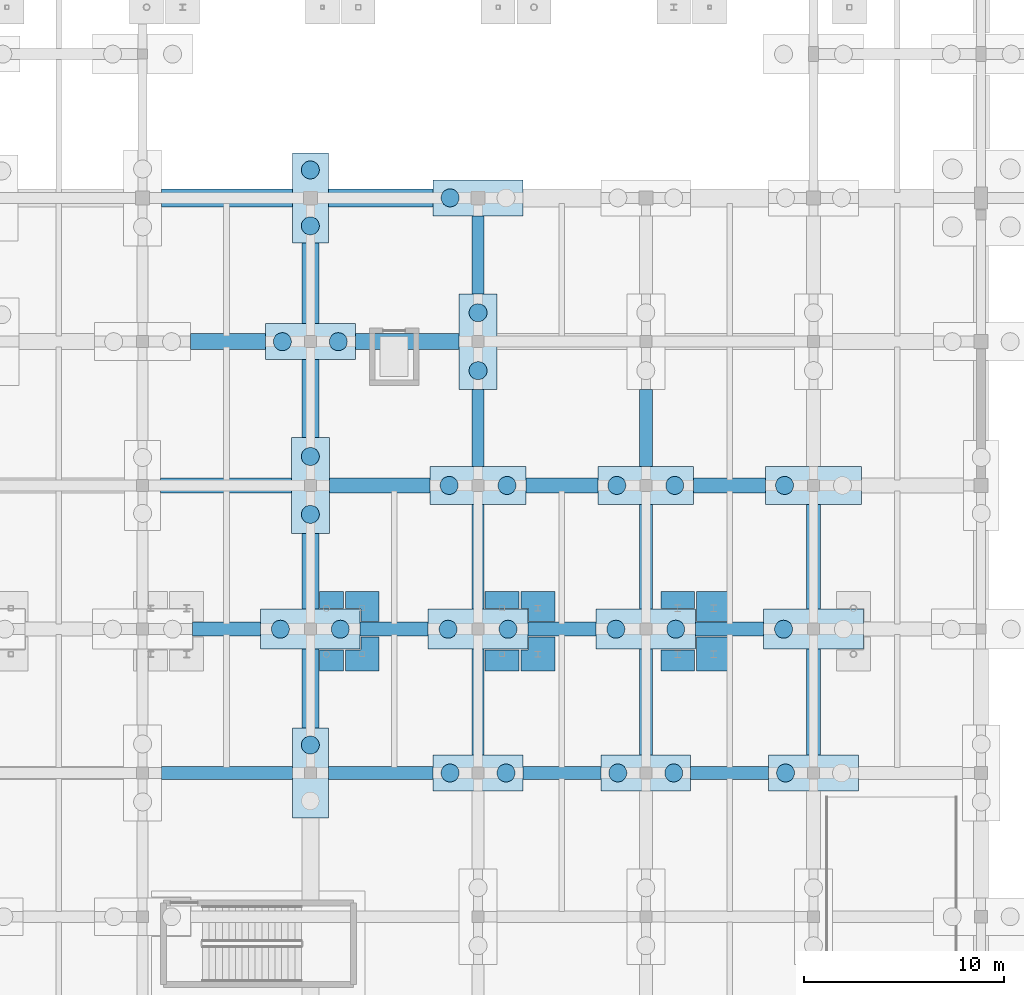
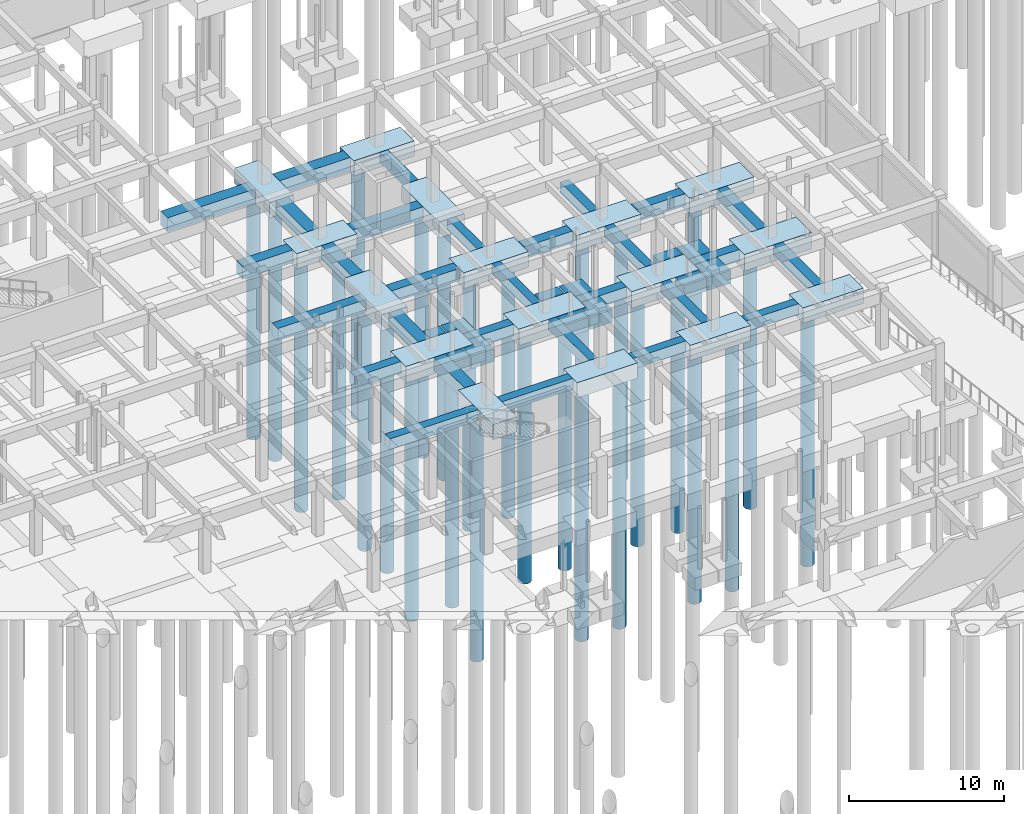
# One storey, part 10 of 80: 57 footings, 27 piles.
"""IFC4 building model written with IfcOpenShell, lengths in metres."""

from ifc_helpers import new_model, si_unit, direction, frame, origin, origin_2d, place, context, subcontext, project, spatial, polyline, rectangle, circle, outline, extrude, material, material_profile, profile_set, type_object, element, save


model = new_model("IFC4")

# Units and contexts
model_context = context("Model", 3, precision=1e-05, world=origin(), true_north=direction((0.0, 1.0)))
body_context = subcontext(model_context, "Body", "Model", "MODEL_VIEW")
ifc_project = project(units=[si_unit("LENGTHUNIT", "METRE"), si_unit("AREAUNIT", "SQUARE_METRE"), si_unit("VOLUMEUNIT", "CUBIC_METRE"), si_unit("PLANEANGLEUNIT", "RADIAN"), si_unit("MASSUNIT", "GRAM", prefix="KILO")], contexts=[model_context])

# Site, building, storey
site_placement = place(None, origin())
site = spatial("IfcSite", under=ifc_project, at=site_placement, CompositionType="ELEMENT")
building_placement = place(site_placement, origin())
building = spatial("IfcBuilding", under=site, at=building_placement, Name="Malvenik Polytechnic", CompositionType="ELEMENT")
storey_placement = place(building_placement, frame((0.0, 0.0, -4.800048828125)))
storey = spatial("IfcBuildingStorey", under=building, at=storey_placement, Name="B1", CompositionType="ELEMENT", Elevation=-4.800048828125)

# Footings
ifc_material = material(Name="Concrete C35/45", Category="concrete")
footing_type_1 = type_object("IfcFootingType", Name="STR-PC-1800x4500x1200", PredefinedType="PILE_CAP", material=ifc_material)
for number, where, z_axis, x_axis, name in (
    (1, (100.800048828125, 86.39990234375, -1.19970703125), (0.0, 0.0, 1.0), (1.0, 0.0, 0.0), "Pile Cap PC-01 #160"),
    (2, (109.199951171875, 64.800048828125, -1.19970703125), (0.0, 0.0, 1.0), (1.0, 0.0, 0.0), "Pile Cap PC-01 #168"),
    (3, (109.199951171875, 93.60009765625, -1.19970703125), (0.0, 0.0, 1.0), (1.0, 0.0, 0.0), "Pile Cap PC-01 #172"),
    (4, (117.60009765625, 64.800048828125, -1.19970703125), (0.0, 0.0, 1.0), (1.0, 0.0, 0.0), "Pile Cap PC-01 #184"),
    (5, (126.0, 64.800048828125, -1.19970703125), (0.0, 0.0, 1.0), (1.0, 0.0, 0.0), "Pile Cap PC-01 #200"),
):
    element("IfcFooting", number, at=place(storey_placement, frame(where, z_axis=z_axis, x_axis=x_axis)), inside=storey, type_object=footing_type_1, Name=name, PredefinedType="PILE_CAP", context=body_context, shape_type="SweptSolid", body=[
        extrude(rectangle(XDim=4.5, YDim=1.800048828125, at=origin_2d()), origin(), (0.0, 0.0, 1.0), 1.199951171875),
    ])
footing_type_2 = type_object("IfcFootingType", Name="STR-PC-1900x4800x1250", PredefinedType="PILE_CAP", material=ifc_material)
for number, where, z_axis, x_axis, name in (
    (6, (109.199951171875, 79.199951171875, -1.25), (0.0, 0.0, 1.0), (1.0, 0.0, 0.0), "Pile Cap PC-13 #170"),
    (7, (117.60009765625, 79.199951171875, -1.25), (0.0, 0.0, 1.0), (1.0, 0.0, 0.0), "Pile Cap PC-13 #186"),
    (8, (126.0, 79.199951171875, -1.25), (0.0, 0.0, 1.0), (1.0, 0.0, 0.0), "Pile Cap PC-13 #202"),
):
    element("IfcFooting", number, at=place(storey_placement, frame(where, z_axis=z_axis, x_axis=x_axis)), inside=storey, type_object=footing_type_2, Name=name, PredefinedType="PILE_CAP", context=body_context, shape_type="SweptSolid", body=[
        extrude(rectangle(XDim=4.800048828125, YDim=1.89990234375, at=origin_2d()), origin(), (0.0, 0.0, 1.0), 1.25),
    ])
footing_type_3 = type_object("IfcFootingType", Name="STR-PC-2000x5000x1300", PredefinedType="PILE_CAP", material=ifc_material)
for number, where, z_axis, x_axis, name in (
    (9, (100.800048828125, 72.0, -1.2998046875), (0.0, 0.0, 1.0), (1.0, 0.0, 0.0), "Pile Cap PC-03 #158"),
    (10, (109.199951171875, 72.0, -1.2998046875), (0.0, 0.0, 1.0), (1.0, 0.0, 0.0), "Pile Cap PC-03 #169"),
    (11, (117.60009765625, 72.0, -1.2998046875), (0.0, 0.0, 1.0), (1.0, 0.0, 0.0), "Pile Cap PC-03 #185"),
    (12, (126.0, 72.0, -1.2998046875), (0.0, 0.0, 1.0), (1.0, 0.0, 0.0), "Pile Cap PC-03 #201"),
):
    element("IfcFooting", number, at=place(storey_placement, frame(where, z_axis=z_axis, x_axis=x_axis)), inside=storey, type_object=footing_type_3, Name=name, PredefinedType="PILE_CAP", context=body_context, shape_type="SweptSolid", body=[
        extrude(rectangle(XDim=5.0, YDim=2.0, at=origin_2d()), origin(), (0.0, 0.0, 1.0), 1.300048828125),
    ])
footing_type_4 = type_object("IfcFootingType", Name="STR-PC-4500x1800x1200", PredefinedType="PILE_CAP", material=ifc_material)
for number, where, z_axis, x_axis, name in (
    (13, (100.800048828125, 64.800048828125, -1.19970703125), (0.0, 0.0, 1.0), (1.0, 0.0, 0.0), "Pile Cap PC-02 #157"),
    (14, (100.800048828125, 93.60009765625, -1.19970703125), (0.0, 0.0, 1.0), (1.0, 0.0, 0.0), "Pile Cap PC-02 #161"),
):
    element("IfcFooting", number, at=place(storey_placement, frame(where, z_axis=z_axis, x_axis=x_axis)), inside=storey, type_object=footing_type_4, Name=name, PredefinedType="PILE_CAP", context=body_context, shape_type="SweptSolid", body=[
        extrude(rectangle(XDim=1.800048828125, YDim=4.5, at=origin_2d()), origin(), (0.0, 0.0, 1.0), 1.199951171875),
    ])
footing_type_5 = type_object("IfcFootingType", Name="STR-PC-4800x1900x1250", PredefinedType="PILE_CAP", material=ifc_material)
for number, where, z_axis, x_axis, name in (
    (15, (100.800048828125, 79.199951171875, -1.25), (0.0, 0.0, 1.0), (1.0, 0.0, 0.0), "Pile Cap PC-14 #159"),
    (16, (109.199951171875, 86.39990234375, -1.25), (0.0, 0.0, 1.0), (1.0, 0.0, 0.0), "Pile Cap PC-14 #171"),
):
    element("IfcFooting", number, at=place(storey_placement, frame(where, z_axis=z_axis, x_axis=x_axis)), inside=storey, type_object=footing_type_5, Name=name, PredefinedType="PILE_CAP", context=body_context, shape_type="SweptSolid", body=[
        extrude(rectangle(XDim=1.89990234375, YDim=4.800048828125, at=origin_2d()), origin(), (0.0, 0.0, 1.0), 1.25),
    ])

# Piles
ifc_material_profile_1 = material_profile(ifc_material, circle(Radius=0.449951171875, at=origin_2d()), Name="BORED PILE D900")
ifc_profile_set_1 = profile_set([ifc_material_profile_1], Name="Concrete C35/45")
pile_type_1 = type_object("IfcPileType", Name="STR-PL-D900-195", PredefinedType="BORED", material=ifc_profile_set_1)
for number, where, z_axis, x_axis, name in (
    (17, (99.300048828125, 72.0, -1.199951171875), (0.0, 0.0, -1.0), (1.0, 0.0, 0.0), "Bored Pile PL-01 #355"),
    (18, (102.300048828125, 72.0, -1.199951171875), (0.0, 0.0, -1.0), (1.0, 0.0, 0.0), "Bored Pile PL-01 #356"),
    (19, (107.699951171875, 72.0, -1.199951171875), (0.0, 0.0, -1.0), (1.0, 0.0, 0.0), "Bored Pile PL-01 #377"),
    (20, (110.699951171875, 72.0, -1.199951171875), (0.0, 0.0, -1.0), (1.0, 0.0, 0.0), "Bored Pile PL-01 #378"),
    (21, (116.10009765625, 72.0, -1.199951171875), (0.0, 0.0, -1.0), (1.0, 0.0, 0.0), "Bored Pile PL-01 #409"),
    (22, (119.10009765625, 72.0, -1.199951171875), (0.0, 0.0, -1.0), (1.0, 0.0, 0.0), "Bored Pile PL-01 #410"),
    (23, (124.5, 72.0, -1.199951171875), (0.0, 0.0, -1.0), (1.0, 0.0, 0.0), "Bored Pile PL-01 #441"),
):
    element("IfcPile", number, at=place(storey_placement, frame(where, z_axis=z_axis, x_axis=x_axis)), inside=storey, type_object=pile_type_1, Name=name, PredefinedType="BORED", context=body_context, shape_type="SweptSolid", body=[
        extrude(circle(Radius=0.449951171875, at=origin_2d()), origin(), (0.0, 0.0, 1.0), 19.5),
    ])
ifc_material_profile_2 = material_profile(ifc_material, circle(Radius=0.449951171875, at=origin_2d()), Name="BORED PILE D900")
ifc_profile_set_2 = profile_set([ifc_material_profile_2], Name="Concrete C35/45")
pile_type_2 = type_object("IfcPileType", Name="STR-PL-D900-198", PredefinedType="BORED", material=ifc_profile_set_2)
for number, where, z_axis, x_axis, name in (
    (24, (100.800048828125, 66.199951171875, -1.099853515625), (0.0, 0.0, -1.0), (1.0, 0.0, 0.0), "Bored Pile PL-02 #354"),
    (25, (100.800048828125, 77.75, -1.14990234375), (0.0, 0.0, -1.0), (1.0, 0.0, 0.0), "Bored Pile PL-02 #357"),
    (26, (100.800048828125, 80.64990234375, -1.14990234375), (0.0, 0.0, -1.0), (1.0, 0.0, 0.0), "Bored Pile PL-02 #358"),
    (27, (99.39990234375, 86.39990234375, -1.099853515625), (0.0, 0.0, -1.0), (1.0, 0.0, 0.0), "Bored Pile PL-02 #359"),
    (28, (102.199951171875, 86.39990234375, -1.099853515625), (0.0, 0.0, -1.0), (1.0, 0.0, 0.0), "Bored Pile PL-02 #360"),
    (29, (100.800048828125, 92.199951171875, -1.099853515625), (0.0, 0.0, -1.0), (1.0, 0.0, 0.0), "Bored Pile PL-02 #361"),
    (30, (100.800048828125, 95.0, -1.099853515625), (0.0, 0.0, -1.0), (1.0, 0.0, 0.0), "Bored Pile PL-02 #362"),
    (31, (107.800048828125, 64.800048828125, -1.099853515625), (0.0, 0.0, -1.0), (1.0, 0.0, 0.0), "Bored Pile PL-02 #375"),
    (32, (110.60009765625, 64.800048828125, -1.099853515625), (0.0, 0.0, -1.0), (1.0, 0.0, 0.0), "Bored Pile PL-02 #376"),
    (33, (107.75, 79.199951171875, -1.14990234375), (0.0, 0.0, -1.0), (1.0, 0.0, 0.0), "Bored Pile PL-02 #379"),
    (34, (110.64990234375, 79.199951171875, -1.14990234375), (0.0, 0.0, -1.0), (1.0, 0.0, 0.0), "Bored Pile PL-02 #380"),
    (35, (109.199951171875, 84.949951171875, -1.14990234375), (0.0, 0.0, -1.0), (1.0, 0.0, 0.0), "Bored Pile PL-02 #381"),
    (36, (109.199951171875, 87.85009765625, -1.14990234375), (0.0, 0.0, -1.0), (1.0, 0.0, 0.0), "Bored Pile PL-02 #382"),
    (37, (107.800048828125, 93.60009765625, -1.099853515625), (0.0, 0.0, -1.0), (1.0, 0.0, 0.0), "Bored Pile PL-02 #383"),
    (38, (116.199951171875, 64.800048828125, -1.099853515625), (0.0, 0.0, -1.0), (1.0, 0.0, 0.0), "Bored Pile PL-02 #407"),
    (39, (119.0, 64.800048828125, -1.099853515625), (0.0, 0.0, -1.0), (1.0, 0.0, 0.0), "Bored Pile PL-02 #408"),
    (40, (116.14990234375, 79.199951171875, -1.14990234375), (0.0, 0.0, -1.0), (1.0, 0.0, 0.0), "Bored Pile PL-02 #411"),
    (41, (119.050048828125, 79.199951171875, -1.14990234375), (0.0, 0.0, -1.0), (1.0, 0.0, 0.0), "Bored Pile PL-02 #412"),
    (42, (124.60009765625, 64.800048828125, -1.099853515625), (0.0, 0.0, -1.0), (1.0, 0.0, 0.0), "Bored Pile PL-02 #439"),
    (43, (124.550048828125, 79.199951171875, -1.14990234375), (0.0, 0.0, -1.0), (1.0, 0.0, 0.0), "Bored Pile PL-02 #443"),
):
    element("IfcPile", number, at=place(storey_placement, frame(where, z_axis=z_axis, x_axis=x_axis)), inside=storey, type_object=pile_type_2, Name=name, PredefinedType="BORED", context=body_context, shape_type="SweptSolid", body=[
        extrude(circle(Radius=0.449951171875, at=origin_2d()), origin(), (0.0, 0.0, 1.0), 19.800048828125),
    ])

# Footings
footing_type_6 = type_object("IfcFootingType", Name="STR-SF-600x800", PredefinedType="STRIP_FOOTING", material=ifc_material)
footing_1_placement = place(storey_placement, frame((0.0, 0.0, -0.800048828125)))
element("IfcFooting", 44, at=footing_1_placement, inside=storey, type_object=footing_type_6, Name="Ground Tie Beam SF-01 #276", PredefinedType="STRIP_FOOTING", context=body_context, shape_type="SweptSolid", body=[
    extrude(outline(polyline([(108.89990234375, 65.699951171875), (109.5, 65.699951171875), (109.5, 71.0), (108.89990234375, 71.0), (108.89990234375, 65.699951171875)])), origin(), (0.0, 0.0, 1.0), 0.800048828125),
])
footing_2_placement = place(storey_placement, frame((0.0, 0.0, -0.800048828125)))
element("IfcFooting", 45, at=footing_2_placement, inside=storey, type_object=footing_type_6, Name="Ground Tie Beam SF-01 #277", PredefinedType="STRIP_FOOTING", context=body_context, shape_type="SweptSolid", body=[
    extrude(outline(polyline([(108.89990234375, 73.0), (109.5, 73.0), (109.5, 78.25), (108.89990234375, 78.25), (108.89990234375, 73.0)])), origin(), (0.0, 0.0, 1.0), 0.800048828125),
])
footing_3_placement = place(storey_placement, frame((0.0, 0.0, -0.800048828125)))
element("IfcFooting", 46, at=footing_3_placement, inside=storey, type_object=footing_type_6, Name="Ground Tie Beam SF-01 #278", PredefinedType="STRIP_FOOTING", context=body_context, shape_type="SweptSolid", body=[
    extrude(outline(polyline([(108.89990234375, 80.14990234375), (109.5, 80.14990234375), (109.5, 84.0), (108.89990234375, 84.0), (108.89990234375, 80.14990234375)])), origin(), (0.0, 0.0, 1.0), 0.800048828125),
])
footing_4_placement = place(storey_placement, frame((0.0, 0.0, -0.800048828125)))
element("IfcFooting", 47, at=footing_4_placement, inside=storey, type_object=footing_type_6, Name="Ground Tie Beam SF-01 #279", PredefinedType="STRIP_FOOTING", context=body_context, shape_type="SweptSolid", body=[
    extrude(outline(polyline([(108.89990234375, 88.800048828125), (109.5, 88.800048828125), (109.5, 92.699951171875), (108.89990234375, 92.699951171875), (108.89990234375, 88.800048828125)])), origin(), (0.0, 0.0, 1.0), 0.800048828125),
])
footing_type_7 = type_object("IfcFootingType", Name="STR-SF-650x850", PredefinedType="STRIP_FOOTING", material=ifc_material)
footing_5_placement = place(storey_placement, frame((0.0, 0.0, -0.849853515625)))
element("IfcFooting", 48, at=footing_5_placement, inside=storey, type_object=footing_type_7, Name="Ground Tie Beam SF-02 #77", PredefinedType="STRIP_FOOTING", context=body_context, shape_type="SweptSolid", body=[
    extrude(outline(polyline([(93.35009765625, 64.47509765625), (99.89990234375, 64.47509765625), (99.89990234375, 65.125), (93.35009765625, 65.125), (93.35009765625, 64.47509765625)])), origin(), (0.0, 0.0, 1.0), 0.849853515625),
])
footing_6_placement = place(storey_placement, frame((0.0, 0.0, -0.849853515625)))
element("IfcFooting", 49, at=footing_6_placement, inside=storey, type_object=footing_type_7, Name="Ground Tie Beam SF-02 #78", PredefinedType="STRIP_FOOTING", context=body_context, shape_type="SweptSolid", body=[
    extrude(outline(polyline([(101.699951171875, 64.47509765625), (106.949951171875, 64.47509765625), (106.949951171875, 65.125), (101.699951171875, 65.125), (101.699951171875, 64.47509765625)])), origin(), (0.0, 0.0, 1.0), 0.849853515625),
])
footing_7_placement = place(storey_placement, frame((0.0, 0.0, -0.849853515625)))
element("IfcFooting", 50, at=footing_7_placement, inside=storey, type_object=footing_type_7, Name="Ground Tie Beam SF-02 #79", PredefinedType="STRIP_FOOTING", context=body_context, shape_type="SweptSolid", body=[
    extrude(outline(polyline([(111.449951171875, 64.47509765625), (115.35009765625, 64.47509765625), (115.35009765625, 65.125), (111.449951171875, 65.125), (111.449951171875, 64.47509765625)])), origin(), (0.0, 0.0, 1.0), 0.849853515625),
])
footing_8_placement = place(storey_placement, frame((0.0, 0.0, -0.849853515625)))
element("IfcFooting", 51, at=footing_8_placement, inside=storey, type_object=footing_type_7, Name="Ground Tie Beam SF-02 #80", PredefinedType="STRIP_FOOTING", context=body_context, shape_type="SweptSolid", body=[
    extrude(outline(polyline([(119.85009765625, 64.47509765625), (123.75, 64.47509765625), (123.75, 65.125), (119.85009765625, 65.125), (119.85009765625, 64.47509765625)])), origin(), (0.0, 0.0, 1.0), 0.849853515625),
])
footing_9_placement = place(storey_placement, frame((0.0, 0.0, -0.849853515625)))
element("IfcFooting", 52, at=footing_9_placement, inside=storey, type_object=footing_type_7, Name="Ground Tie Beam SF-02 #286", PredefinedType="STRIP_FOOTING", context=body_context, shape_type="SweptSolid", body=[
    extrude(outline(polyline([(117.27490234375, 65.699951171875), (117.925048828125, 65.699951171875), (117.925048828125, 71.0), (117.27490234375, 71.0), (117.27490234375, 65.699951171875)])), origin(), (0.0, 0.0, 1.0), 0.849853515625),
])
footing_10_placement = place(storey_placement, frame((0.0, 0.0, -0.849853515625)))
element("IfcFooting", 53, at=footing_10_placement, inside=storey, type_object=footing_type_7, Name="Ground Tie Beam SF-02 #287", PredefinedType="STRIP_FOOTING", context=body_context, shape_type="SweptSolid", body=[
    extrude(outline(polyline([(117.27490234375, 73.0), (117.925048828125, 73.0), (117.925048828125, 78.25), (117.27490234375, 78.25), (117.27490234375, 73.0)])), origin(), (0.0, 0.0, 1.0), 0.849853515625),
])
footing_11_placement = place(storey_placement, frame((0.0, 0.0, -0.849853515625)))
element("IfcFooting", 54, at=footing_11_placement, inside=storey, type_object=footing_type_7, Name="Ground Tie Beam SF-02 #288", PredefinedType="STRIP_FOOTING", context=body_context, shape_type="SweptSolid", body=[
    extrude(outline(polyline([(117.27490234375, 80.14990234375), (117.925048828125, 80.14990234375), (117.925048828125, 84.0), (117.27490234375, 84.0), (117.27490234375, 80.14990234375)])), origin(), (0.0, 0.0, 1.0), 0.849853515625),
])
footing_type_8 = type_object("IfcFootingType", Name="STR-SF-700x900", PredefinedType="STRIP_FOOTING", material=ifc_material)
footing_12_placement = place(storey_placement, frame((0.0, 0.0, -0.89990234375)))
element("IfcFooting", 55, at=footing_12_placement, inside=storey, type_object=footing_type_8, Name="Ground Tie Beam SF-03 #89", PredefinedType="STRIP_FOOTING", context=body_context, shape_type="SweptSolid", body=[
    extrude(outline(polyline([(94.89990234375, 71.64990234375), (98.300048828125, 71.64990234375), (98.300048828125, 72.35009765625), (94.89990234375, 72.35009765625), (94.89990234375, 71.64990234375)])), origin(), (0.0, 0.0, 1.0), 0.89990234375),
])
footing_13_placement = place(storey_placement, frame((0.0, 0.0, -0.89990234375)))
element("IfcFooting", 56, at=footing_13_placement, inside=storey, type_object=footing_type_8, Name="Ground Tie Beam SF-03 #90", PredefinedType="STRIP_FOOTING", context=body_context, shape_type="SweptSolid", body=[
    extrude(outline(polyline([(103.300048828125, 71.64990234375), (106.699951171875, 71.64990234375), (106.699951171875, 72.35009765625), (103.300048828125, 72.35009765625), (103.300048828125, 71.64990234375)])), origin(), (0.0, 0.0, 1.0), 0.89990234375),
])
footing_14_placement = place(storey_placement, frame((0.0, 0.0, -0.89990234375)))
element("IfcFooting", 57, at=footing_14_placement, inside=storey, type_object=footing_type_8, Name="Ground Tie Beam SF-03 #91", PredefinedType="STRIP_FOOTING", context=body_context, shape_type="SweptSolid", body=[
    extrude(outline(polyline([(111.699951171875, 71.64990234375), (115.10009765625, 71.64990234375), (115.10009765625, 72.35009765625), (111.699951171875, 72.35009765625), (111.699951171875, 71.64990234375)])), origin(), (0.0, 0.0, 1.0), 0.89990234375),
])
footing_15_placement = place(storey_placement, frame((0.0, 0.0, -0.89990234375)))
element("IfcFooting", 58, at=footing_15_placement, inside=storey, type_object=footing_type_8, Name="Ground Tie Beam SF-03 #92", PredefinedType="STRIP_FOOTING", context=body_context, shape_type="SweptSolid", body=[
    extrude(outline(polyline([(120.10009765625, 71.64990234375), (123.5, 71.64990234375), (123.5, 72.35009765625), (120.10009765625, 72.35009765625), (120.10009765625, 71.64990234375)])), origin(), (0.0, 0.0, 1.0), 0.89990234375),
])
footing_16_placement = place(storey_placement, frame((0.0, 0.0, -0.89990234375)))
element("IfcFooting", 59, at=footing_16_placement, inside=storey, type_object=footing_type_8, Name="Ground Tie Beam SF-03 #296", PredefinedType="STRIP_FOOTING", context=body_context, shape_type="SweptSolid", body=[
    extrude(outline(polyline([(125.64990234375, 65.699951171875), (126.35009765625, 65.699951171875), (126.35009765625, 71.0), (125.64990234375, 71.0), (125.64990234375, 65.699951171875)])), origin(), (0.0, 0.0, 1.0), 0.89990234375),
])
footing_17_placement = place(storey_placement, frame((0.0, 0.0, -0.89990234375)))
element("IfcFooting", 60, at=footing_17_placement, inside=storey, type_object=footing_type_8, Name="Ground Tie Beam SF-03 #297", PredefinedType="STRIP_FOOTING", context=body_context, shape_type="SweptSolid", body=[
    extrude(outline(polyline([(125.64990234375, 73.0), (126.35009765625, 73.0), (126.35009765625, 78.25), (125.64990234375, 78.25), (125.64990234375, 73.0)])), origin(), (0.0, 0.0, 1.0), 0.89990234375),
])
footing_type_9 = type_object("IfcFootingType", Name="STR-SF-750x950", PredefinedType="STRIP_FOOTING", material=ifc_material)
footing_18_placement = place(storey_placement, frame((0.0, 0.0, -0.949951171875)))
element("IfcFooting", 61, at=footing_18_placement, inside=storey, type_object=footing_type_9, Name="Ground Tie Beam SF-04 #101", PredefinedType="STRIP_FOOTING", context=body_context, shape_type="SweptSolid", body=[
    extrude(outline(polyline([(93.300048828125, 78.824951171875), (99.85009765625, 78.824951171875), (99.85009765625, 79.574951171875), (93.300048828125, 79.574951171875), (93.300048828125, 78.824951171875)])), origin(), (0.0, 0.0, 1.0), 0.949951171875),
])
footing_19_placement = place(storey_placement, frame((0.0, 0.0, -0.949951171875)))
element("IfcFooting", 62, at=footing_19_placement, inside=storey, type_object=footing_type_9, Name="Ground Tie Beam SF-04 #102", PredefinedType="STRIP_FOOTING", context=body_context, shape_type="SweptSolid", body=[
    extrude(outline(polyline([(101.75, 78.824951171875), (106.800048828125, 78.824951171875), (106.800048828125, 79.574951171875), (101.75, 79.574951171875), (101.75, 78.824951171875)])), origin(), (0.0, 0.0, 1.0), 0.949951171875),
])
footing_20_placement = place(storey_placement, frame((0.0, 0.0, -0.949951171875)))
element("IfcFooting", 63, at=footing_20_placement, inside=storey, type_object=footing_type_9, Name="Ground Tie Beam SF-04 #103", PredefinedType="STRIP_FOOTING", context=body_context, shape_type="SweptSolid", body=[
    extrude(outline(polyline([(111.60009765625, 78.824951171875), (115.199951171875, 78.824951171875), (115.199951171875, 79.574951171875), (111.60009765625, 79.574951171875), (111.60009765625, 78.824951171875)])), origin(), (0.0, 0.0, 1.0), 0.949951171875),
])
footing_21_placement = place(storey_placement, frame((0.0, 0.0, -0.949951171875)))
element("IfcFooting", 64, at=footing_21_placement, inside=storey, type_object=footing_type_9, Name="Ground Tie Beam SF-04 #104", PredefinedType="STRIP_FOOTING", context=body_context, shape_type="SweptSolid", body=[
    extrude(outline(polyline([(120.0, 78.824951171875), (123.60009765625, 78.824951171875), (123.60009765625, 79.574951171875), (120.0, 79.574951171875), (120.0, 78.824951171875)])), origin(), (0.0, 0.0, 1.0), 0.949951171875),
])
footing_type_10 = type_object("IfcFootingType", Name="STR-SF-800x1000", PredefinedType="STRIP_FOOTING", material=ifc_material)
footing_22_placement = place(storey_placement, frame((0.0, 0.0, -1.0)))
element("IfcFooting", 65, at=footing_22_placement, inside=storey, type_object=footing_type_10, Name="Ground Tie Beam SF-05 #112", PredefinedType="STRIP_FOOTING", context=body_context, shape_type="SweptSolid", body=[
    extrude(outline(polyline([(94.800048828125, 86.0), (98.550048828125, 86.0), (98.550048828125, 86.800048828125), (94.800048828125, 86.800048828125), (94.800048828125, 86.0)])), origin(), (0.0, 0.0, 1.0), 1.0),
])
footing_23_placement = place(storey_placement, frame((0.0, 0.0, -1.0)))
element("IfcFooting", 66, at=footing_23_placement, inside=storey, type_object=footing_type_10, Name="Ground Tie Beam SF-05 #113", PredefinedType="STRIP_FOOTING", context=body_context, shape_type="SweptSolid", body=[
    extrude(outline(polyline([(103.050048828125, 86.0), (108.25, 86.0), (108.25, 86.800048828125), (103.050048828125, 86.800048828125), (103.050048828125, 86.0)])), origin(), (0.0, 0.0, 1.0), 1.0),
])
footing_24_placement = place(storey_placement, frame((0.0, 0.0, -1.0)))
element("IfcFooting", 67, at=footing_24_placement, inside=storey, type_object=footing_type_10, Name="Bridge-Ramp Pier Footing #51.1", PredefinedType="STRIP_FOOTING", context=body_context, shape_type="SweptSolid", body=[
    extrude(outline(polyline([(120.14990234375, 69.89990234375), (120.14990234375, 71.60009765625), (121.85009765625, 71.60009765625), (121.85009765625, 69.89990234375), (120.14990234375, 69.89990234375)])), origin(), (0.0, 0.0, 1.0), 1.0),
])
footing_25_placement = place(storey_placement, frame((0.0, 0.0, -1.0)))
element("IfcFooting", 68, at=footing_25_placement, inside=storey, type_object=footing_type_10, Name="Bridge-Ramp Pier Footing #52.1", PredefinedType="STRIP_FOOTING", context=body_context, shape_type="SweptSolid", body=[
    extrude(outline(polyline([(120.14990234375, 73.89990234375), (121.85009765625, 73.89990234375), (121.85009765625, 72.3798828125), (120.14990234375, 72.3798828125), (120.14990234375, 73.89990234375)])), origin(), (0.0, 0.0, 1.0), 1.0),
])
footing_26_placement = place(storey_placement, frame((0.0, 0.0, -1.0)))
element("IfcFooting", 69, at=footing_26_placement, inside=storey, type_object=footing_type_10, Name="Bridge-Ramp Pier Footing #53.1", PredefinedType="STRIP_FOOTING", context=body_context, shape_type="SweptSolid", body=[
    extrude(outline(polyline([(120.050048828125, 69.89990234375), (118.35009765625, 69.89990234375), (118.35009765625, 70.969970703125), (120.050048828125, 70.969970703125), (120.050048828125, 69.89990234375)])), origin(), (0.0, 0.0, 1.0), 1.0),
])
footing_27_placement = place(storey_placement, frame((0.0, 0.0, -1.0)))
element("IfcFooting", 70, at=footing_27_placement, inside=storey, type_object=footing_type_10, Name="Bridge-Ramp Pier Footing #54.1", PredefinedType="STRIP_FOOTING", context=body_context, shape_type="SweptSolid", body=[
    extrude(outline(polyline([(118.35009765625, 73.89990234375), (120.050048828125, 73.89990234375), (120.050048828125, 73.030029296875), (118.35009765625, 73.030029296875), (118.35009765625, 73.89990234375)])), origin(), (0.0, 0.0, 1.0), 1.0),
])
footing_28_placement = place(storey_placement, frame((0.0, 0.0, -1.0)))
element("IfcFooting", 71, at=footing_28_placement, inside=storey, type_object=footing_type_10, Name="Bridge-Ramp Pier Footing #55.1", PredefinedType="STRIP_FOOTING", context=body_context, shape_type="SweptSolid", body=[
    extrude(outline(polyline([(113.050048828125, 71.60009765625), (113.050048828125, 69.89990234375), (111.35009765625, 69.89990234375), (111.35009765625, 70.969970703125), (111.699951171875, 70.969970703125), (111.702880859375, 70.97021484375), (111.705810546875, 70.970703125), (111.708740234375, 70.97119140625), (111.71142578125, 70.972412109375), (111.714111328125, 70.973388671875), (111.716796875, 70.97509765625), (111.718994140625, 70.976806640625), (111.72119140625, 70.978759765625), (111.72314453125, 70.98095703125), (111.724853515625, 70.9833984375), (111.7265625, 70.98583984375), (111.727783203125, 70.988525390625), (111.728759765625, 70.9912109375), (111.7294921875, 70.994140625), (111.72998046875, 70.9970703125), (111.72998046875, 71.0), (111.72998046875, 71.60009765625), (113.050048828125, 71.60009765625)])), origin(), (0.0, 0.0, 1.0), 1.0),
])
footing_29_placement = place(storey_placement, frame((0.0, 0.0, -1.0)))
element("IfcFooting", 72, at=footing_29_placement, inside=storey, type_object=footing_type_10, Name="Bridge-Ramp Pier Footing #56.1", PredefinedType="STRIP_FOOTING", context=body_context, shape_type="SweptSolid", body=[
    extrude(outline(polyline([(111.35009765625, 73.89990234375), (113.050048828125, 73.89990234375), (113.050048828125, 72.3798828125), (111.72998046875, 72.3798828125), (111.72998046875, 73.0), (111.72998046875, 73.0029296875), (111.7294921875, 73.005859375), (111.728759765625, 73.0087890625), (111.727783203125, 73.011474609375), (111.7265625, 73.01416015625), (111.724853515625, 73.0166015625), (111.72314453125, 73.01904296875), (111.72119140625, 73.021240234375), (111.718994140625, 73.023193359375), (111.716796875, 73.02490234375), (111.714111328125, 73.026611328125), (111.71142578125, 73.027587890625), (111.708740234375, 73.02880859375), (111.705810546875, 73.029296875), (111.702880859375, 73.02978515625), (111.699951171875, 73.030029296875), (111.35009765625, 73.030029296875), (111.35009765625, 73.89990234375)])), origin(), (0.0, 0.0, 1.0), 1.0),
])
footing_30_placement = place(storey_placement, frame((0.0, 0.0, -1.0)))
element("IfcFooting", 73, at=footing_30_placement, inside=storey, type_object=footing_type_10, Name="Bridge-Ramp Pier Footing #57.1", PredefinedType="STRIP_FOOTING", context=body_context, shape_type="SweptSolid", body=[
    extrude(outline(polyline([(111.25, 69.89990234375), (109.550048828125, 69.89990234375), (109.550048828125, 70.969970703125), (111.25, 70.969970703125), (111.25, 69.89990234375)])), origin(), (0.0, 0.0, 1.0), 1.0),
])
footing_31_placement = place(storey_placement, frame((0.0, 0.0, -1.0)))
element("IfcFooting", 74, at=footing_31_placement, inside=storey, type_object=footing_type_10, Name="Bridge-Ramp Pier Footing #58.1", PredefinedType="STRIP_FOOTING", context=body_context, shape_type="SweptSolid", body=[
    extrude(outline(polyline([(109.550048828125, 73.89990234375), (111.25, 73.89990234375), (111.25, 73.030029296875), (109.550048828125, 73.030029296875), (109.550048828125, 73.89990234375)])), origin(), (0.0, 0.0, 1.0), 1.0),
])
footing_32_placement = place(storey_placement, frame((0.0, 0.0, -1.0)))
element("IfcFooting", 75, at=footing_32_placement, inside=storey, type_object=footing_type_10, Name="Bridge-Ramp Pier Footing #59.1", PredefinedType="STRIP_FOOTING", context=body_context, shape_type="SweptSolid", body=[
    extrude(outline(polyline([(104.25, 71.60009765625), (104.25, 69.89990234375), (102.550048828125, 69.89990234375), (102.550048828125, 70.969970703125), (103.300048828125, 70.969970703125), (103.302978515625, 70.97021484375), (103.305908203125, 70.970703125), (103.30859375, 70.97119140625), (103.3115234375, 70.972412109375), (103.314208984375, 70.973388671875), (103.316650390625, 70.97509765625), (103.319091796875, 70.976806640625), (103.3212890625, 70.978759765625), (103.3232421875, 70.98095703125), (103.324951171875, 70.9833984375), (103.326416015625, 70.98583984375), (103.32763671875, 70.988525390625), (103.32861328125, 70.9912109375), (103.329345703125, 70.994140625), (103.329833984375, 70.9970703125), (103.330078125, 71.0), (103.330078125, 71.60009765625), (104.25, 71.60009765625)])), origin(), (0.0, 0.0, 1.0), 1.0),
])
footing_33_placement = place(storey_placement, frame((0.0, 0.0, -1.0)))
element("IfcFooting", 76, at=footing_33_placement, inside=storey, type_object=footing_type_10, Name="Bridge-Ramp Pier Footing #60.1", PredefinedType="STRIP_FOOTING", context=body_context, shape_type="SweptSolid", body=[
    extrude(outline(polyline([(102.550048828125, 73.89990234375), (104.25, 73.89990234375), (104.25, 72.3798828125), (103.330078125, 72.3798828125), (103.330078125, 73.0), (103.329833984375, 73.0029296875), (103.329345703125, 73.005859375), (103.32861328125, 73.0087890625), (103.32763671875, 73.011474609375), (103.326416015625, 73.01416015625), (103.324951171875, 73.0166015625), (103.3232421875, 73.01904296875), (103.3212890625, 73.021240234375), (103.319091796875, 73.023193359375), (103.316650390625, 73.02490234375), (103.314208984375, 73.026611328125), (103.3115234375, 73.027587890625), (103.30859375, 73.02880859375), (103.305908203125, 73.029296875), (103.302978515625, 73.02978515625), (103.300048828125, 73.030029296875), (102.550048828125, 73.030029296875), (102.550048828125, 73.89990234375)])), origin(), (0.0, 0.0, 1.0), 1.0),
])
footing_34_placement = place(storey_placement, frame((0.0, 0.0, -1.0)))
element("IfcFooting", 77, at=footing_34_placement, inside=storey, type_object=footing_type_10, Name="Bridge-Ramp Pier Footing #61.1", PredefinedType="STRIP_FOOTING", context=body_context, shape_type="SweptSolid", body=[
    extrude(outline(polyline([(102.449951171875, 69.89990234375), (101.2548828125, 69.89990234375), (101.2548828125, 70.969970703125), (102.449951171875, 70.969970703125), (102.449951171875, 69.89990234375)])), origin(), (0.0, 0.0, 1.0), 1.0),
])
footing_35_placement = place(storey_placement, frame((0.0, 0.0, -1.0)))
element("IfcFooting", 78, at=footing_35_placement, inside=storey, type_object=footing_type_10, Name="Bridge-Ramp Pier Footing #62.1", PredefinedType="STRIP_FOOTING", context=body_context, shape_type="SweptSolid", body=[
    extrude(outline(polyline([(102.449951171875, 73.89990234375), (102.449951171875, 73.030029296875), (101.2548828125, 73.030029296875), (101.2548828125, 73.89990234375), (102.449951171875, 73.89990234375)])), origin(), (0.0, 0.0, 1.0), 1.0),
])
footing_type_11 = type_object("IfcFootingType", Name="STR-SF-850x1050", PredefinedType="STRIP_FOOTING", material=ifc_material)
footing_36_placement = place(storey_placement, frame((0.0, 0.0, -1.050048828125)))
element("IfcFooting", 79, at=footing_36_placement, inside=storey, type_object=footing_type_11, Name="Ground Tie Beam SF-08 #268", PredefinedType="STRIP_FOOTING", context=body_context, shape_type="SweptSolid", body=[
    extrude(outline(polyline([(100.375, 67.050048828125), (101.22509765625, 67.050048828125), (101.22509765625, 71.0), (100.375, 71.0), (100.375, 67.050048828125)])), origin(), (0.0, 0.0, 1.0), 1.050048828125),
])
footing_37_placement = place(storey_placement, frame((0.0, 0.0, -1.050048828125)))
element("IfcFooting", 80, at=footing_37_placement, inside=storey, type_object=footing_type_11, Name="Ground Tie Beam SF-08 #269", PredefinedType="STRIP_FOOTING", context=body_context, shape_type="SweptSolid", body=[
    extrude(outline(polyline([(100.375, 73.0), (101.22509765625, 73.0), (101.22509765625, 76.800048828125), (100.375, 76.800048828125), (100.375, 73.0)])), origin(), (0.0, 0.0, 1.0), 1.050048828125),
])
footing_38_placement = place(storey_placement, frame((0.0, 0.0, -1.050048828125)))
element("IfcFooting", 81, at=footing_38_placement, inside=storey, type_object=footing_type_11, Name="Ground Tie Beam SF-08 #270", PredefinedType="STRIP_FOOTING", context=body_context, shape_type="SweptSolid", body=[
    extrude(outline(polyline([(100.375, 81.60009765625), (101.22509765625, 81.60009765625), (101.22509765625, 85.5), (100.375, 85.5), (100.375, 81.60009765625)])), origin(), (0.0, 0.0, 1.0), 1.050048828125),
])
footing_39_placement = place(storey_placement, frame((0.0, 0.0, -1.050048828125)))
element("IfcFooting", 82, at=footing_39_placement, inside=storey, type_object=footing_type_11, Name="Ground Tie Beam SF-08 #271", PredefinedType="STRIP_FOOTING", context=body_context, shape_type="SweptSolid", body=[
    extrude(outline(polyline([(100.375, 87.300048828125), (101.22509765625, 87.300048828125), (101.22509765625, 91.35009765625), (100.375, 91.35009765625), (100.375, 87.300048828125)])), origin(), (0.0, 0.0, 1.0), 1.050048828125),
])
footing_type_12 = type_object("IfcFootingType", Name="STR-SF-900x1100", PredefinedType="STRIP_FOOTING", material=ifc_material)
footing_40_placement = place(storey_placement, frame((0.0, 0.0, -1.099853515625)))
element("IfcFooting", 83, at=footing_40_placement, inside=storey, type_object=footing_type_12, Name="Ground Tie Beam SF-06 #124", PredefinedType="STRIP_FOOTING", context=body_context, shape_type="SweptSolid", body=[
    extrude(outline(polyline([(93.35009765625, 93.14990234375), (99.89990234375, 93.14990234375), (99.89990234375, 94.050048828125), (93.35009765625, 94.050048828125), (93.35009765625, 93.14990234375)])), origin(), (0.0, 0.0, 1.0), 1.099853515625),
])
footing_41_placement = place(storey_placement, frame((0.0, 0.0, -1.099853515625)))
element("IfcFooting", 84, at=footing_41_placement, inside=storey, type_object=footing_type_12, Name="Ground Tie Beam SF-06 #125", PredefinedType="STRIP_FOOTING", context=body_context, shape_type="SweptSolid", body=[
    extrude(outline(polyline([(101.699951171875, 93.14990234375), (106.949951171875, 93.14990234375), (106.949951171875, 94.050048828125), (101.699951171875, 94.050048828125), (101.699951171875, 93.14990234375)])), origin(), (0.0, 0.0, 1.0), 1.099853515625),
])

save(model, "model.ifc")
